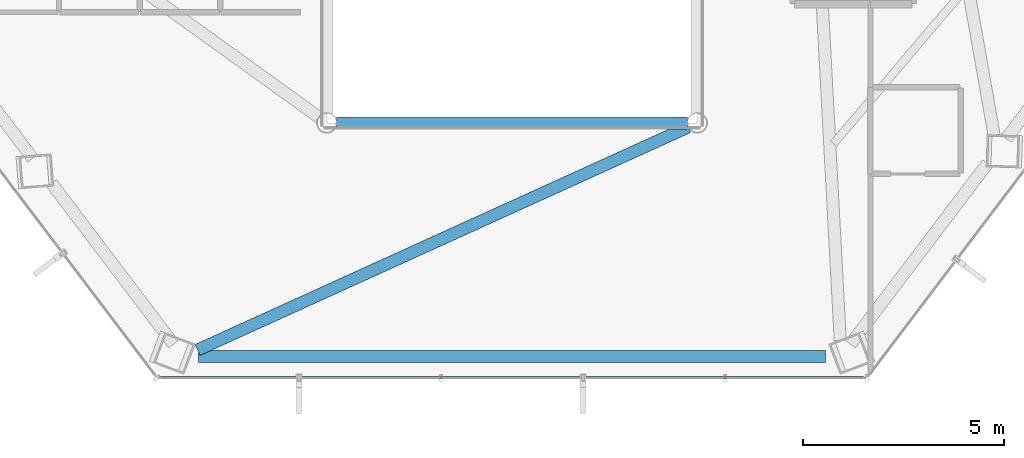
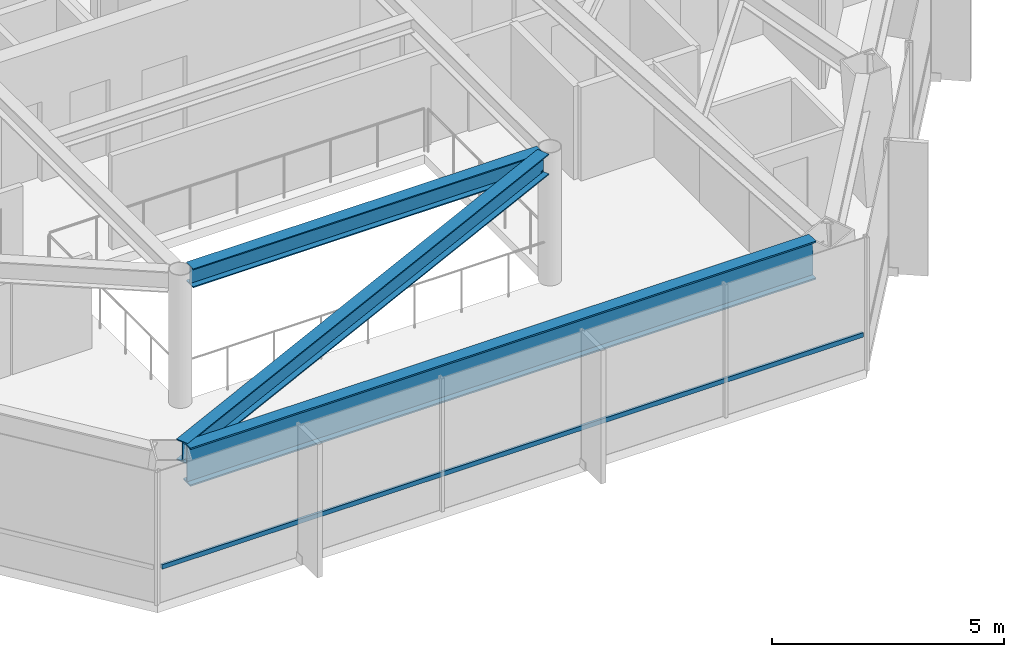
# One storey, part 7 of 30: 3 beams, 1 member, 1 element without a shape of its own.
"""IFC4 building model written with IfcOpenShell, lengths in metres."""

from ifc_helpers import new_model, si_unit, direction, frame, origin, origin_2d, place, context, subcontext, project, spatial, hollow_rectangle, i_section, extrude, material, layer, layer_set, material_profile, profile_set, type_object, element, aggregate, save


model = new_model("IFC4")

# Units and contexts
model_context = context("Model", 3, precision=1e-05, world=origin(), true_north=direction((0.0, 1.0)))
body_context = subcontext(model_context, "Body", "Model", "MODEL_VIEW")
ifc_project = project(units=[si_unit("LENGTHUNIT", "METRE"), si_unit("AREAUNIT", "SQUARE_METRE"), si_unit("VOLUMEUNIT", "CUBIC_METRE"), si_unit("PLANEANGLEUNIT", "RADIAN"), si_unit("MASSUNIT", "GRAM", prefix="KILO")], contexts=[model_context])

# Site, building, storey
site_placement = place(None, origin())
site = spatial("IfcSite", under=ifc_project, at=site_placement, CompositionType="ELEMENT")
building_placement = place(site_placement, origin())
building = spatial("IfcBuilding", under=site, at=building_placement, Name="Zarrinselat Tower", CompositionType="ELEMENT")
storey_placement = place(building_placement, frame((0.0, 0.0, 130.89990234375)))
storey = spatial("IfcBuildingStorey", under=building, at=storey_placement, Name="L31", CompositionType="ELEMENT", Elevation=130.89990234375)

# Beams
ifc_material_1 = material(Name="Steel S355J2", Category="steel")
ifc_material_profile_1 = material_profile(ifc_material_1, i_section(OverallWidth=0.300048828125, OverallDepth=0.5, WebThickness=0.014404296875, FlangeThickness=0.028076171875, at=origin_2d()), Name="HEB 500")
ifc_profile_set_1 = profile_set([ifc_material_profile_1], Name="Steel S355J2")
beam_type_1 = type_object("IfcBeamType", Name="BM-HEB500", PredefinedType="BEAM", material=ifc_profile_set_1)
beam_1_placement = place(storey_placement, frame((34.0400390625, 24.39990234375, 3.25), z_axis=(1.0, 0.0, 0.0), x_axis=(0.0, 1.0, 0.0)))
element("IfcBeam", 1, at=beam_1_placement, inside=storey, type_object=beam_type_1, Name="L31 Atrium Edge Beam S", PredefinedType="BEAM", context=body_context, shape_type="SweptSolid", body=[
    extrude(i_section(OverallWidth=0.300048828125, OverallDepth=0.5, WebThickness=0.014404296875, FlangeThickness=0.028076171875, at=origin_2d()), origin(), (0.0, 0.0, 1.0), 8.719970703125),
])
ifc_material_2 = material(Name="Steel S355J2", Category="steel")
ifc_material_profile_2 = material_profile(ifc_material_2, i_section(OverallWidth=0.300048828125, OverallDepth=0.550048828125, WebThickness=0.014892578125, FlangeThickness=0.029052734375, at=origin_2d()), Name="HEB 550")
ifc_profile_set_2 = profile_set([ifc_material_profile_2], Name="Steel S355J2")
beam_type_2 = type_object("IfcBeamType", Name="BM-HEB550", PredefinedType="BEAM", material=ifc_profile_set_2)
beam_2_placement = place(storey_placement, frame((30.592041015625, 18.76220703125, 3.22509765625), z_axis=(0.91042646234, 0.413670952172, 0.0), x_axis=(-0.413670952172, 0.91042646234, 0.0)))
element("IfcBeam", 2, at=beam_2_placement, inside=storey, type_object=beam_type_2, Name="L31 Radial Primary Girder RG10", PredefinedType="BEAM", context=body_context, shape_type="SweptSolid", body=[
    extrude(i_section(OverallWidth=0.300048828125, OverallDepth=0.550048828125, WebThickness=0.014892578125, FlangeThickness=0.029052734375, at=origin_2d()), origin(), (0.0, 0.0, 1.0), 13.37890625),
])
ifc_material_3 = material(Name="Steel S460M", Category="steel")
ifc_material_profile_3 = material_profile(ifc_material_3, i_section(OverallWidth=0.302001953125, OverallDepth=1.008056640625, WebThickness=0.02099609375, FlangeThickness=0.0400390625, at=origin_2d()), Name="HEM 1000")
ifc_profile_set_3 = profile_set([ifc_material_profile_3], Name="Steel S460M")
beam_type_3 = type_object("IfcBeamType", Name="BM-HEM1000", PredefinedType="BEAM", material=ifc_profile_set_3)
beam_3_placement = place(storey_placement, frame((30.614013671875, 18.595703125, 2.99609375), z_axis=(1.0, 0.0, 0.0), x_axis=(0.0, 1.0, 0.0)))
element("IfcBeam", 3, at=beam_3_placement, inside=storey, type_object=beam_type_3, Name="L31 Perimeter Spandrel Girder SP10", PredefinedType="BEAM", context=body_context, shape_type="SweptSolid", body=[
    extrude(i_section(OverallWidth=0.302001953125, OverallDepth=1.008056640625, WebThickness=0.02099609375, FlangeThickness=0.0400390625, at=origin_2d()), origin(), (0.0, 0.0, 1.0), 15.57177734375),
])

# Curtain wall, member
ifc_material_4 = material(Name="Extruded Aluminium Alloy EN AW-6063 T6", Category="aluminium")
ifc_layer = layer(ifc_material_4, 0.175048828125)
ifc_layer_set = layer_set([ifc_layer], Name="Extruded Aluminium Alloy EN AW-6063 T6")
curtain_wall_type = type_object("IfcCurtainWallType", Name="CWS-HTL", PredefinedType="NOTDEFINED", material=ifc_layer_set)
curtain_wall_placement = place(storey_placement, origin())
curtain_wall = element("IfcCurtainWall", 4, at=curtain_wall_placement, inside=storey, type_object=curtain_wall_type, Name="L31 Unitised Curtain Wall CW-L31-E04", PredefinedType="NOTDEFINED")
ifc_material_5 = material(Name="Extruded Aluminium Alloy EN AW-6063 T6", Category="aluminium")
ifc_material_profile_4 = material_profile(ifc_material_5, hollow_rectangle(XDim=0.06005859375, YDim=0.1201171875, WallThickness=0.00390625, at=origin_2d()), Name="RHS 120x60x4")
ifc_profile_set_4 = profile_set([ifc_material_profile_4], Name="Extruded Aluminium Alloy EN AW-6063 T6")
member_type = type_object("IfcMemberType", Name="MEM-CW-TRN2", PredefinedType="USERDEFINED", material=ifc_profile_set_4)
member_placement = place(storey_placement, frame((29.672119140625, 18.06640625, 0.9501953125), z_axis=(1.0, 0.0, 0.0), x_axis=(0.0, 1.0, 0.0)))
member = element("IfcMember", 5, at=member_placement, type_object=member_type, Name="CW-L31-E04 Transom 1", ObjectType="TRANSOM", PredefinedType="USERDEFINED", context=body_context, shape_type="SweptSolid", body=[
    extrude(hollow_rectangle(XDim=0.06005859375, YDim=0.1201171875, WallThickness=0.00390625, at=origin_2d()), origin(), (0.0, 0.0, 1.0), 17.455810546875),
])
aggregate(curtain_wall, [member])

save(model, "model.ifc")
